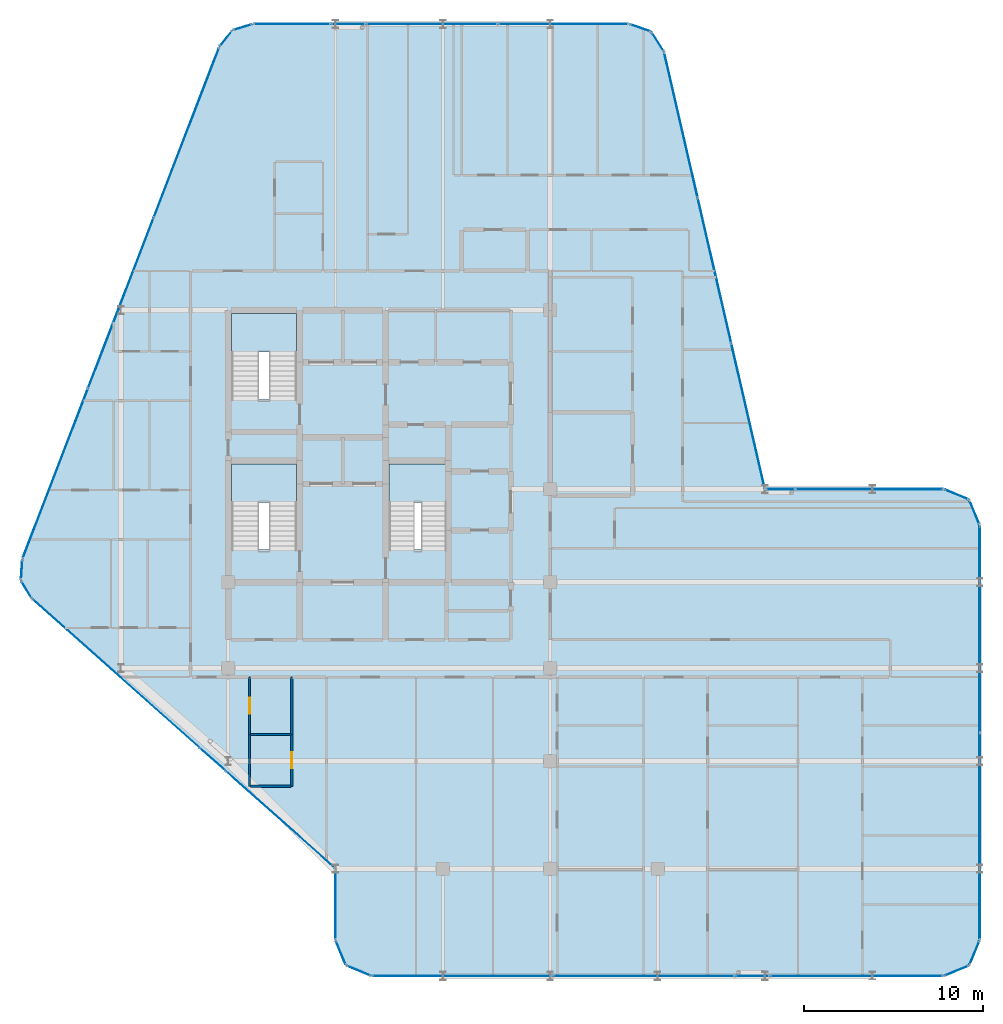
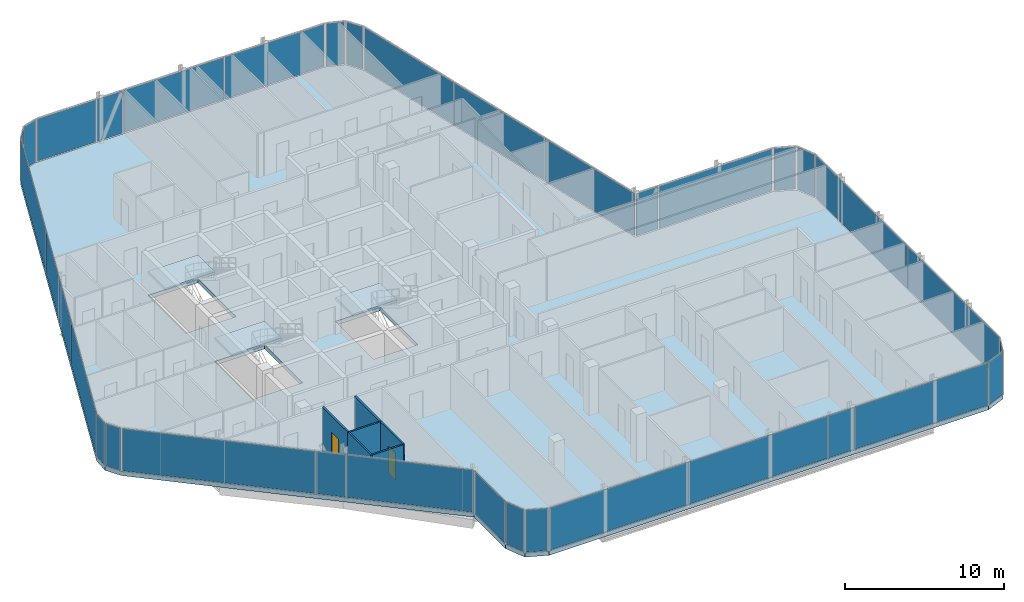
# One storey, part 22 of 29: 34 plates, 6 walls, 4 slabs, 2 doors, 2 openings, 30 elements without a shape of their own.
"""IFC4 building model written with IfcOpenShell, lengths in metres."""

from ifc_helpers import new_model, si_unit, direction, frame, frame_2d, origin, origin_2d, place, context, subcontext, project, spatial, polyline, rectangle, outline, extrude, material, layer, layer_set, type_object, element, fill, aggregate, save


model = new_model("IFC4")

# Units and contexts
model_context = context("Model", 3, precision=1e-05, world=origin(), true_north=direction((0.0, 1.0)))
body_context = subcontext(model_context, "Body", "Model", "MODEL_VIEW")
ifc_project = project(units=[si_unit("LENGTHUNIT", "METRE"), si_unit("AREAUNIT", "SQUARE_METRE"), si_unit("VOLUMEUNIT", "CUBIC_METRE"), si_unit("PLANEANGLEUNIT", "RADIAN"), si_unit("MASSUNIT", "GRAM", prefix="KILO")], contexts=[model_context])

# Site, building, storey
site_placement = place(None, origin())
site = spatial("IfcSite", under=ifc_project, at=site_placement, CompositionType="ELEMENT")
building_placement = place(site_placement, origin())
building = spatial("IfcBuilding", under=site, at=building_placement, Name="Keshet Zoharim Tower", CompositionType="ELEMENT")
storey_placement = place(building_placement, frame((0.0, 0.0, 230.199951171875)))
storey = spatial("IfcBuildingStorey", under=building, at=storey_placement, Name="L57", CompositionType="ELEMENT", Elevation=230.199951171875)

# Curtain wall, plate
ifc_material_1 = material(Name="Aluminium 6063-T6", Category="aluminium")
ifc_layer_1 = layer(ifc_material_1, 0.139892578125)
ifc_layer_set_1 = layer_set([ifc_layer_1], Name="Aluminium 6063-T6")
curtain_wall_type = type_object("IfcCurtainWallType", Name="CW-SYS-05", PredefinedType="NOTDEFINED", material=ifc_layer_set_1)
curtain_wall_1_placement = place(storey_placement, origin())
curtain_wall_1 = element("IfcCurtainWall", 1, at=curtain_wall_1_placement, inside=storey, type_object=curtain_wall_type, Name="L57 Unitised Curtain Wall 01", PredefinedType="NOTDEFINED")
ifc_material_2 = material(Name="Insulated Low-E Clear Glass", Category="glass")
ifc_layer_2 = layer(ifc_material_2, 0.031982421875)
ifc_layer_set_2 = layer_set([ifc_layer_2], Name="Insulated Low-E Clear Glass")
plate_type_1 = type_object("IfcPlateType", Name="CWP-02", PredefinedType="CURTAIN_PANEL", material=ifc_layer_set_2)
plate_1_placement = place(storey_placement, frame((55.70703125, 27.60693359375, 0.070068359375), z_axis=(0.0, 0.0, 1.0), x_axis=(0.92380975372, -0.382851849847, 0.0)))
plate_1 = element("IfcPlate", 2, at=plate_1_placement, type_object=plate_type_1, Name="CW-05 panel 1.1", PredefinedType="CURTAIN_PANEL", context=body_context, shape_type="SweptSolid", body=[
    extrude(rectangle(XDim=1.390625, YDim=0.031982421875, at=origin_2d()), origin(), (0.0, 0.0, 1.0), 3.25),
])
aggregate(curtain_wall_1, [plate_1])

curtain_wall_2_placement = place(storey_placement, origin())
curtain_wall_2 = element("IfcCurtainWall", 3, at=curtain_wall_2_placement, inside=storey, type_object=curtain_wall_type, Name="L57 Unitised Curtain Wall 02", PredefinedType="NOTDEFINED")
plate_2_placement = place(storey_placement, frame((56.70703125, 26.60693359375, 0.070068359375), z_axis=(0.0, 0.0, 1.0), x_axis=(0.382851849847, -0.92380975372, 0.0)))
plate_2 = element("IfcPlate", 4, at=plate_2_placement, type_object=plate_type_1, Name="CW-05 panel 1.1", PredefinedType="CURTAIN_PANEL", context=body_context, shape_type="SweptSolid", body=[
    extrude(rectangle(XDim=1.390625, YDim=0.031982421875, at=origin_2d()), origin(), (0.0, 0.0, 1.0), 3.25),
])
aggregate(curtain_wall_2, [plate_2])

# Curtain wall, plates
curtain_wall_3_placement = place(storey_placement, origin())
curtain_wall_3 = element("IfcCurtainWall", 5, at=curtain_wall_3_placement, inside=storey, type_object=curtain_wall_type, Name="L57 Unitised Curtain Wall 03", PredefinedType="NOTDEFINED")
plate_3_placement = place(storey_placement, frame((57.0, 20.08251953125, 0.070068359375), z_axis=(0.0, 0.0, 1.0), x_axis=(0.0, -1.0, 0.0)))
plate_3 = element("IfcPlate", 6, at=plate_3_placement, type_object=plate_type_1, Name="CW-05 panel 1.1", PredefinedType="CURTAIN_PANEL", context=body_context, shape_type="SweptSolid", body=[
    extrude(rectangle(XDim=11.4951171875, YDim=0.031982421875, at=origin_2d()), origin(), (0.0, 0.0, 1.0), 3.25),
])
plate_4_placement = place(storey_placement, frame((57.0, 8.517578125, 0.070068359375), z_axis=(0.0, 0.0, 1.0), x_axis=(0.0, -1.0, 0.0)))
plate_4 = element("IfcPlate", 7, at=plate_4_placement, type_object=plate_type_1, Name="CW-05 panel 2.1", PredefinedType="CURTAIN_PANEL", context=body_context, shape_type="SweptSolid", body=[
    extrude(rectangle(XDim=11.4951171875, YDim=0.031982421875, at=origin_2d()), origin(), (0.0, 0.0, 1.0), 3.25),
])
aggregate(curtain_wall_3, [plate_3, plate_4])

# Curtain wall, plate
curtain_wall_4_placement = place(storey_placement, origin())
curtain_wall_4 = element("IfcCurtainWall", 8, at=curtain_wall_4_placement, inside=storey, type_object=curtain_wall_type, Name="L57 Unitised Curtain Wall 04", PredefinedType="NOTDEFINED")
plate_5_placement = place(storey_placement, frame((56.70703125, 1.992919921875, 0.070068359375), z_axis=(0.0, 0.0, 1.0), x_axis=(-0.382851849847, -0.92380975372, 0.0)))
plate_5 = element("IfcPlate", 9, at=plate_5_placement, type_object=plate_type_1, Name="CW-05 panel 1.1", PredefinedType="CURTAIN_PANEL", context=body_context, shape_type="SweptSolid", body=[
    extrude(rectangle(XDim=1.390625, YDim=0.031982421875, at=origin_2d()), origin(), (0.0, 0.0, 1.0), 3.25),
])
aggregate(curtain_wall_4, [plate_5])

curtain_wall_5_placement = place(storey_placement, origin())
curtain_wall_5 = element("IfcCurtainWall", 10, at=curtain_wall_5_placement, inside=storey, type_object=curtain_wall_type, Name="L57 Unitised Curtain Wall 05", PredefinedType="NOTDEFINED")
plate_6_placement = place(storey_placement, frame((55.70703125, 0.992919921875, 0.070068359375), z_axis=(0.0, 0.0, 1.0), x_axis=(-0.92380975372, -0.382851849847, 0.0)))
plate_6 = element("IfcPlate", 11, at=plate_6_placement, type_object=plate_type_1, Name="CW-05 panel 1.1", PredefinedType="CURTAIN_PANEL", context=body_context, shape_type="SweptSolid", body=[
    extrude(rectangle(XDim=1.390625, YDim=0.031982421875, at=origin_2d()), origin(), (0.0, 0.0, 1.0), 3.25),
])
aggregate(curtain_wall_5, [plate_6])

curtain_wall_6_placement = place(storey_placement, origin())
curtain_wall_6 = element("IfcCurtainWall", 12, at=curtain_wall_6_placement, inside=storey, type_object=curtain_wall_type, Name="L57 Unitised Curtain Wall 06", PredefinedType="NOTDEFINED")
plate_7_placement = place(storey_placement, frame((50.1123046875, 0.699951171875, 0.070068359375), z_axis=(0.0, 0.0, 1.0), x_axis=(-1.0, 0.0, 0.0)))
plate_7 = element("IfcPlate", 13, at=plate_7_placement, type_object=plate_type_1, Name="CW-05 panel 1.1", PredefinedType="CURTAIN_PANEL", context=body_context, shape_type="SweptSolid", body=[
    extrude(rectangle(XDim=9.63525390625, YDim=0.031982421875, at=origin_2d()), origin(), (0.0, 0.0, 1.0), 3.25),
])
aggregate(curtain_wall_6, [plate_7])

# Curtain wall, plates
curtain_wall_7_placement = place(storey_placement, origin())
curtain_wall_7 = element("IfcCurtainWall", 14, at=curtain_wall_7_placement, inside=storey, type_object=curtain_wall_type, Name="L57 Unitised Curtain Wall 06 Part 3", PredefinedType="NOTDEFINED")
plate_8_placement = place(storey_placement, frame((38.223876953125, 0.699951171875, 0.070068359375), z_axis=(0.0, 0.0, 1.0), x_axis=(-1.0, 0.0, 0.0)))
plate_8 = element("IfcPlate", 15, at=plate_8_placement, type_object=plate_type_1, Name="CW-05 panel 1.1", PredefinedType="CURTAIN_PANEL", context=body_context, shape_type="SweptSolid", body=[
    extrude(rectangle(XDim=10.1025390625, YDim=0.031982421875, at=origin_2d()), origin(), (0.0, 0.0, 1.0), 3.25),
])
plate_9_placement = place(storey_placement, frame((28.086181640625, 0.699951171875, 0.070068359375), z_axis=(0.0, 0.0, 1.0), x_axis=(-1.0, 0.0, 0.0)))
plate_9 = element("IfcPlate", 16, at=plate_9_placement, type_object=plate_type_1, Name="CW-05 panel 2.1", PredefinedType="CURTAIN_PANEL", context=body_context, shape_type="SweptSolid", body=[
    extrude(rectangle(XDim=10.03271484375, YDim=0.031982421875, at=origin_2d()), origin(), (0.0, 0.0, 1.0), 3.25),
])
aggregate(curtain_wall_7, [plate_8, plate_9])

# Curtain wall, plate
curtain_wall_8_placement = place(storey_placement, origin())
curtain_wall_8 = element("IfcCurtainWall", 17, at=curtain_wall_8_placement, inside=storey, type_object=curtain_wall_type, Name="L57 Unitised Curtain Wall 07", PredefinedType="NOTDEFINED")
plate_10_placement = place(storey_placement, frame((22.29296875, 0.992919921875, 0.070068359375), z_axis=(0.0, 0.0, 1.0), x_axis=(-0.92380975372, 0.382851849847, 0.0)))
plate_10 = element("IfcPlate", 18, at=plate_10_placement, type_object=plate_type_1, Name="CW-05 panel 1.1", PredefinedType="CURTAIN_PANEL", context=body_context, shape_type="SweptSolid", body=[
    extrude(rectangle(XDim=1.390625, YDim=0.031982421875, at=origin_2d()), origin(), (0.0, 0.0, 1.0), 3.25),
])
aggregate(curtain_wall_8, [plate_10])

curtain_wall_9_placement = place(storey_placement, origin())
curtain_wall_9 = element("IfcCurtainWall", 19, at=curtain_wall_9_placement, inside=storey, type_object=curtain_wall_type, Name="L57 Unitised Curtain Wall 08", PredefinedType="NOTDEFINED")
plate_11_placement = place(storey_placement, frame((21.29296875, 1.992919921875, 0.070068359375), z_axis=(0.0, 0.0, 1.0), x_axis=(-0.382851849847, 0.92380975372, 0.0)))
plate_11 = element("IfcPlate", 20, at=plate_11_placement, type_object=plate_type_1, Name="CW-05 panel 1.1", PredefinedType="CURTAIN_PANEL", context=body_context, shape_type="SweptSolid", body=[
    extrude(rectangle(XDim=1.390625, YDim=0.031982421875, at=origin_2d()), origin(), (0.0, 0.0, 1.0), 3.25),
])
aggregate(curtain_wall_9, [plate_11])

curtain_wall_10_placement = place(storey_placement, origin())
curtain_wall_10 = element("IfcCurtainWall", 21, at=curtain_wall_10_placement, inside=storey, type_object=curtain_wall_type, Name="L57 Unitised Curtain Wall 09", PredefinedType="NOTDEFINED")
plate_12_placement = place(storey_placement, frame((21.0, 4.699951171875, 0.070068359375), z_axis=(0.0, 0.0, 1.0), x_axis=(0.0, 1.0, 0.0)))
plate_12 = element("IfcPlate", 22, at=plate_12_placement, type_object=plate_type_1, Name="CW-05 panel 1.1", PredefinedType="CURTAIN_PANEL", context=body_context, shape_type="SweptSolid", body=[
    extrude(rectangle(XDim=3.860107421875, YDim=0.031982421875, at=origin_2d()), origin(), (0.0, 0.0, 1.0), 3.25),
])
aggregate(curtain_wall_10, [plate_12])

curtain_wall_11_placement = place(storey_placement, origin())
curtain_wall_11 = element("IfcCurtainWall", 23, at=curtain_wall_11_placement, inside=storey, type_object=curtain_wall_type, Name="L57 Unitised Curtain Wall 10", PredefinedType="NOTDEFINED")
plate_13_placement = place(storey_placement, frame((17.91845703125, 9.439208984375, 0.070068359375), z_axis=(0.0, 0.0, 1.0), x_axis=(-0.747409987764, 0.664363086114, 0.0)))
plate_13 = element("IfcPlate", 24, at=plate_13_placement, type_object=plate_type_1, Name="CW-05 panel 1.1", PredefinedType="CURTAIN_PANEL", context=body_context, shape_type="SweptSolid", body=[
    extrude(rectangle(XDim=8.10595703125, YDim=0.031982421875, at=origin_2d()), origin(), (0.0, 0.0, 1.0), 3.25),
])
aggregate(curtain_wall_11, [plate_13])

curtain_wall_12_placement = place(storey_placement, origin())
curtain_wall_12 = element("IfcCurtainWall", 25, at=curtain_wall_12_placement, inside=storey, type_object=curtain_wall_type, Name="L57 Unitised Curtain Wall 10 Part 3", PredefinedType="NOTDEFINED")
plate_14_placement = place(storey_placement, frame((8.7333984375, 17.603515625, 0.070068359375), z_axis=(0.0, 0.0, 1.0), x_axis=(-0.747409318679, 0.664363838836, 0.0)))
plate_14 = element("IfcPlate", 26, at=plate_14_placement, type_object=plate_type_1, Name="CW-05 panel 1.1", PredefinedType="CURTAIN_PANEL", context=body_context, shape_type="SweptSolid", body=[
    extrude(rectangle(XDim=12.432861328125, YDim=0.031982421875, at=origin_2d()), origin(), (0.0, 0.0, 1.0), 3.25),
])
aggregate(curtain_wall_12, [plate_14])

curtain_wall_13_placement = place(storey_placement, origin())
curtain_wall_13 = element("IfcCurtainWall", 27, at=curtain_wall_13_placement, inside=storey, type_object=curtain_wall_type, Name="L57 Unitised Curtain Wall 11", PredefinedType="NOTDEFINED")
plate_15_placement = place(storey_placement, frame((3.7275390625, 22.291015625, 0.070068359375), z_axis=(0.0, 0.0, 1.0), x_axis=(-0.515604947933, 0.856826433805, 0.0)))
plate_15 = element("IfcPlate", 28, at=plate_15_placement, type_object=plate_type_1, Name="CW-05 panel 1.1", PredefinedType="CURTAIN_PANEL", context=body_context, shape_type="SweptSolid", body=[
    extrude(rectangle(XDim=1.052734375, YDim=0.031982421875, at=origin_2d()), origin(), (0.0, 0.0, 1.0), 3.25),
])
aggregate(curtain_wall_13, [plate_15])

curtain_wall_14_placement = place(storey_placement, origin())
curtain_wall_14 = element("IfcCurtainWall", 29, at=curtain_wall_14_placement, inside=storey, type_object=curtain_wall_type, Name="L57 Unitised Curtain Wall 12", PredefinedType="NOTDEFINED")
plate_16_placement = place(storey_placement, frame((3.45849609375, 23.3974609375, 0.070068359375), z_axis=(0.0, 0.0, 1.0), x_axis=(0.064516859374, 0.997916617186, 0.0)))
plate_16 = element("IfcPlate", 30, at=plate_16_placement, type_object=plate_type_1, Name="CW-05 panel 1.1", PredefinedType="CURTAIN_PANEL", context=body_context, shape_type="SweptSolid", body=[
    extrude(rectangle(XDim=1.053466796875, YDim=0.031982421875, at=origin_2d()), origin(), (0.0, 0.0, 1.0), 3.25),
])
aggregate(curtain_wall_14, [plate_16])

# Curtain wall, plates
curtain_wall_15_placement = place(storey_placement, origin())
curtain_wall_15 = element("IfcCurtainWall", 31, at=curtain_wall_15_placement, inside=storey, type_object=curtain_wall_type, Name="L57 Unitised Curtain Wall 13", PredefinedType="NOTDEFINED")
plate_17_placement = place(storey_placement, frame((5.33837890625, 28.7802734375, 0.070068359375), z_axis=(0.0, 0.0, 1.0), x_axis=(0.358990003907, 0.933341404361, 0.0)))
plate_17 = element("IfcPlate", 32, at=plate_17_placement, type_object=plate_type_1, Name="CW-05 panel 1.1", PredefinedType="CURTAIN_PANEL", context=body_context, shape_type="SweptSolid", body=[
    extrude(rectangle(XDim=10.1181640625, YDim=0.031982421875, at=origin_2d()), origin(), (0.0, 0.0, 1.0), 3.25),
])
plate_18_placement = place(storey_placement, frame((9.001953125, 38.305419921875, 0.070068359375), z_axis=(0.0, 0.0, 1.0), x_axis=(0.358990003907, 0.933341404361, 0.0)))
plate_18 = element("IfcPlate", 33, at=plate_18_placement, type_object=plate_type_1, Name="CW-05 panel 2.1", PredefinedType="CURTAIN_PANEL", context=body_context, shape_type="SweptSolid", body=[
    extrude(rectangle(XDim=10.153076171875, YDim=0.031982421875, at=origin_2d()), origin(), (0.0, 0.0, 1.0), 3.25),
])
plate_19_placement = place(storey_placement, frame((12.665771484375, 47.830810546875, 0.070068359375), z_axis=(0.0, 0.0, 1.0), x_axis=(0.358990003907, 0.933341404361, 0.0)))
plate_19 = element("IfcPlate", 34, at=plate_19_placement, type_object=plate_type_1, Name="CW-05 panel 3.1", PredefinedType="CURTAIN_PANEL", context=body_context, shape_type="SweptSolid", body=[
    extrude(rectangle(XDim=10.1181640625, YDim=0.031982421875, at=origin_2d()), origin(), (0.0, 0.0, 1.0), 3.25),
])
aggregate(curtain_wall_15, [plate_17, plate_18, plate_19])

# Curtain wall, plate
curtain_wall_16_placement = place(storey_placement, origin())
curtain_wall_16 = element("IfcCurtainWall", 35, at=curtain_wall_16_placement, inside=storey, type_object=curtain_wall_type, Name="L57 Unitised Curtain Wall 14", PredefinedType="NOTDEFINED")
plate_20_placement = place(storey_placement, frame((14.8740234375, 53.08349609375, 0.070068359375), z_axis=(0.0, 0.0, 1.0), x_axis=(0.619124525989, 0.785292825205, 0.0)))
plate_20 = element("IfcPlate", 36, at=plate_20_placement, type_object=plate_type_1, Name="CW-05 panel 1.1", PredefinedType="CURTAIN_PANEL", context=body_context, shape_type="SweptSolid", body=[
    extrude(rectangle(XDim=1.045654296875, YDim=0.031982421875, at=origin_2d()), origin(), (0.0, 0.0, 1.0), 3.25),
])
aggregate(curtain_wall_16, [plate_20])

curtain_wall_17_placement = place(storey_placement, origin())
curtain_wall_17 = element("IfcCurtainWall", 37, at=curtain_wall_17_placement, inside=storey, type_object=curtain_wall_type, Name="L57 Unitised Curtain Wall 15", PredefinedType="NOTDEFINED")
plate_21_placement = place(storey_placement, frame((15.8076171875, 53.724609375, 0.070068359375), z_axis=(0.0, 0.0, 1.0), x_axis=(0.955212151288, 0.295921857984, 0.0)))
plate_21 = element("IfcPlate", 38, at=plate_21_placement, type_object=plate_type_1, Name="CW-05 panel 1.1", PredefinedType="CURTAIN_PANEL", context=body_context, shape_type="SweptSolid", body=[
    extrude(rectangle(XDim=1.046142578125, YDim=0.031982421875, at=origin_2d()), origin(), (0.0, 0.0, 1.0), 3.25),
])
aggregate(curtain_wall_17, [plate_21])

curtain_wall_18_placement = place(storey_placement, origin())
curtain_wall_18 = element("IfcCurtainWall", 39, at=curtain_wall_18_placement, inside=storey, type_object=curtain_wall_type, Name="L57 Unitised Curtain Wall 16", PredefinedType="NOTDEFINED")
plate_22_placement = place(storey_placement, frame((18.57470703125, 53.89990234375, 0.070068359375), z_axis=(0.0, 0.0, 1.0), x_axis=(1.0, 0.0, 0.0)))
plate_22 = element("IfcPlate", 40, at=plate_22_placement, type_object=plate_type_1, Name="CW-05 panel 1.1", PredefinedType="CURTAIN_PANEL", context=body_context, shape_type="SweptSolid", body=[
    extrude(rectangle(XDim=4.26123046875, YDim=0.031982421875, at=origin_2d()), origin(), (0.0, 0.0, 1.0), 3.25),
])
aggregate(curtain_wall_18, [plate_22])

# Curtain wall, plates
curtain_wall_19_placement = place(storey_placement, origin())
curtain_wall_19 = element("IfcCurtainWall", 41, at=curtain_wall_19_placement, inside=storey, type_object=curtain_wall_type, Name="L57 Unitised Curtain Wall 16 Part 3", PredefinedType="NOTDEFINED")
plate_23_placement = place(storey_placement, frame((26.37841796875, 53.89990234375, 0.070068359375), z_axis=(0.0, 0.0, 1.0), x_axis=(1.0, 0.0, 0.0)))
plate_23 = element("IfcPlate", 42, at=plate_23_placement, type_object=plate_type_1, Name="CW-05 panel 1.1", PredefinedType="CURTAIN_PANEL", context=body_context, shape_type="SweptSolid", body=[
    extrude(rectangle(XDim=7.30712890625, YDim=0.031982421875, at=origin_2d()), origin(), (0.0, 0.0, 1.0), 3.25),
])
plate_24_placement = place(storey_placement, frame((33.720458984375, 53.89990234375, 0.070068359375), z_axis=(0.0, 0.0, 1.0), x_axis=(1.0, 0.0, 0.0)))
plate_24 = element("IfcPlate", 43, at=plate_24_placement, type_object=plate_type_1, Name="CW-05 panel 2.1", PredefinedType="CURTAIN_PANEL", context=body_context, shape_type="SweptSolid", body=[
    extrude(rectangle(XDim=7.237060546875, YDim=0.031982421875, at=origin_2d()), origin(), (0.0, 0.0, 1.0), 3.25),
])
aggregate(curtain_wall_19, [plate_23, plate_24])

# Curtain wall, plate
curtain_wall_20_placement = place(storey_placement, origin())
curtain_wall_20 = element("IfcCurtainWall", 44, at=curtain_wall_20_placement, inside=storey, type_object=curtain_wall_type, Name="L57 Unitised Curtain Wall 17", PredefinedType="NOTDEFINED")
plate_25_placement = place(storey_placement, frame((38.031494140625, 53.6826171875, 0.070068359375), z_axis=(0.0, 0.0, 1.0), x_axis=(0.944035542119, -0.329843743636, 0.0)))
plate_25 = element("IfcPlate", 45, at=plate_25_placement, type_object=plate_type_1, Name="CW-05 panel 1.1", PredefinedType="CURTAIN_PANEL", context=body_context, shape_type="SweptSolid", body=[
    extrude(rectangle(XDim=1.1787109375, YDim=0.031982421875, at=origin_2d()), origin(), (0.0, 0.0, 1.0), 3.25),
])
aggregate(curtain_wall_20, [plate_25])

curtain_wall_21_placement = place(storey_placement, origin())
curtain_wall_21 = element("IfcCurtainWall", 46, at=curtain_wall_21_placement, inside=storey, type_object=curtain_wall_type, Name="L57 Unitised Curtain Wall 18", PredefinedType="NOTDEFINED")
plate_26_placement = place(storey_placement, frame((39.006103515625, 52.907470703125, 0.070068359375), z_axis=(0.0, 0.0, 1.0), x_axis=(0.533878858502, -0.845560976183, 0.0)))
plate_26 = element("IfcPlate", 47, at=plate_26_placement, type_object=plate_type_1, Name="CW-05 panel 1.1", PredefinedType="CURTAIN_PANEL", context=body_context, shape_type="SweptSolid", body=[
    extrude(rectangle(XDim=1.1787109375, YDim=0.031982421875, at=origin_2d()), origin(), (0.0, 0.0, 1.0), 3.25),
])
aggregate(curtain_wall_21, [plate_26])

# Curtain wall, plates
curtain_wall_22_placement = place(storey_placement, origin())
curtain_wall_22 = element("IfcCurtainWall", 48, at=curtain_wall_22_placement, inside=storey, type_object=curtain_wall_type, Name="L57 Unitised Curtain Wall 19", PredefinedType="NOTDEFINED")
plate_27_placement = place(storey_placement, frame((40.30224609375, 48.258056640625, 0.070068359375), z_axis=(0.0, 0.0, 1.0), x_axis=(0.224847864369, -0.974393882313, 0.0)))
plate_27 = element("IfcPlate", 49, at=plate_27_placement, type_object=plate_type_1, Name="CW-05 panel 1.1", PredefinedType="CURTAIN_PANEL", context=body_context, shape_type="SweptSolid", body=[
    extrude(rectangle(XDim=8.25927734375, YDim=0.031982421875, at=origin_2d()), origin(), (0.0, 0.0, 1.0), 3.25),
])
plate_28_placement = place(storey_placement, frame((42.178955078125, 40.125, 0.070068359375), z_axis=(0.0, 0.0, 1.0), x_axis=(0.224847864369, -0.974393882313, 0.0)))
plate_28 = element("IfcPlate", 50, at=plate_28_placement, type_object=plate_type_1, Name="CW-05 panel 2.1", PredefinedType="CURTAIN_PANEL", context=body_context, shape_type="SweptSolid", body=[
    extrude(rectangle(XDim=8.294189453125, YDim=0.031982421875, at=origin_2d()), origin(), (0.0, 0.0, 1.0), 3.25),
])
plate_29_placement = place(storey_placement, frame((44.0556640625, 31.991943359375, 0.070068359375), z_axis=(0.0, 0.0, 1.0), x_axis=(0.224847864369, -0.974393882313, 0.0)))
plate_29 = element("IfcPlate", 51, at=plate_29_placement, type_object=plate_type_1, Name="CW-05 panel 3.1", PredefinedType="CURTAIN_PANEL", context=body_context, shape_type="SweptSolid", body=[
    extrude(rectangle(XDim=8.25927734375, YDim=0.031982421875, at=origin_2d()), origin(), (0.0, 0.0, 1.0), 3.25),
])
aggregate(curtain_wall_22, [plate_27, plate_28, plate_29])

# Curtain wall, plate
curtain_wall_23_placement = place(storey_placement, origin())
curtain_wall_23 = element("IfcCurtainWall", 52, at=curtain_wall_23_placement, inside=storey, type_object=curtain_wall_type, Name="L57 Unitised Curtain Wall 20 Part 2", PredefinedType="NOTDEFINED")
plate_30_placement = place(storey_placement, frame((50.827392578125, 27.89990234375, 0.070068359375), z_axis=(0.0, 0.0, 1.0), x_axis=(1.0, 0.0, 0.0)))
plate_30 = element("IfcPlate", 53, at=plate_30_placement, type_object=plate_type_1, Name="CW-05 panel 1.1", PredefinedType="CURTAIN_PANEL", context=body_context, shape_type="SweptSolid", body=[
    extrude(rectangle(XDim=8.205078125, YDim=0.031982421875, at=origin_2d()), origin(), (0.0, 0.0, 1.0), 3.25),
])
aggregate(curtain_wall_23, [plate_30])

curtain_wall_24_placement = place(storey_placement, origin())
curtain_wall_24 = element("IfcCurtainWall", 54, at=curtain_wall_24_placement, inside=storey, type_object=curtain_wall_type, Name="L57 Unitised Curtain Wall 06 Part 2", PredefinedType="NOTDEFINED")
ifc_material_3 = material(Name="Insulated Aluminium Spandrel Panel", Category="aluminium")
ifc_layer_3 = layer(ifc_material_3, 0.031982421875)
ifc_layer_set_3 = layer_set([ifc_layer_3], Name="Insulated Aluminium Spandrel Panel")
plate_type_2 = type_object("IfcPlateType", Name="CWP-05", PredefinedType="CURTAIN_PANEL", material=ifc_layer_set_3)
plate_31_placement = place(storey_placement, frame((44.284912109375, 0.699951171875, 0.070068359375), z_axis=(0.0, 0.0, 1.0), x_axis=(-1.0, 0.0, 0.0)))
plate_31 = element("IfcPlate", 55, at=plate_31_placement, type_object=plate_type_2, Name="CW-05 spandrel panel 1.1", PredefinedType="CURTAIN_PANEL", context=body_context, shape_type="SweptSolid", body=[
    extrude(rectangle(XDim=1.879638671875, YDim=0.031982421875, at=origin_2d()), origin(), (0.0, 0.0, 1.0), 3.25),
])
aggregate(curtain_wall_24, [plate_31])

curtain_wall_25_placement = place(storey_placement, origin())
curtain_wall_25 = element("IfcCurtainWall", 56, at=curtain_wall_25_placement, inside=storey, type_object=curtain_wall_type, Name="L57 Unitised Curtain Wall 10 Part 2", PredefinedType="NOTDEFINED")
plate_32_placement = place(storey_placement, frame((14.134521484375, 12.802734375, 0.070068359375), z_axis=(0.0, 0.0, 1.0), x_axis=(-0.747406488853, 0.664367022375, 0.0)))
plate_32 = element("IfcPlate", 57, at=plate_32_placement, type_object=plate_type_2, Name="CW-05 spandrel panel 1.1", PredefinedType="CURTAIN_PANEL", context=body_context, shape_type="SweptSolid", body=[
    extrude(rectangle(XDim=1.879638671875, YDim=0.031982421875, at=origin_2d()), origin(), (0.0, 0.0, 1.0), 3.25),
])
aggregate(curtain_wall_25, [plate_32])

curtain_wall_26_placement = place(storey_placement, origin())
curtain_wall_26 = element("IfcCurtainWall", 58, at=curtain_wall_26_placement, inside=storey, type_object=curtain_wall_type, Name="L57 Unitised Curtain Wall 16 Part 2", PredefinedType="NOTDEFINED")
plate_33_placement = place(storey_placement, frame((21.715087890625, 53.89990234375, 0.070068359375), z_axis=(0.0, 0.0, 1.0), x_axis=(1.0, 0.0, 0.0)))
plate_33 = element("IfcPlate", 59, at=plate_33_placement, type_object=plate_type_2, Name="CW-05 spandrel panel 1.1", PredefinedType="CURTAIN_PANEL", context=body_context, shape_type="SweptSolid", body=[
    extrude(rectangle(XDim=1.879638671875, YDim=0.031982421875, at=origin_2d()), origin(), (0.0, 0.0, 1.0), 3.25),
])
aggregate(curtain_wall_26, [plate_33])

curtain_wall_27_placement = place(storey_placement, origin())
curtain_wall_27 = element("IfcCurtainWall", 60, at=curtain_wall_27_placement, inside=storey, type_object=curtain_wall_type, Name="L57 Unitised Curtain Wall 20", PredefinedType="NOTDEFINED")
plate_34_placement = place(storey_placement, frame((45.8623046875, 27.89990234375, 0.070068359375), z_axis=(0.0, 0.0, 1.0), x_axis=(1.0, 0.0, 0.0)))
plate_34 = element("IfcPlate", 61, at=plate_34_placement, type_object=plate_type_2, Name="CW-05 spandrel panel 1.1", PredefinedType="CURTAIN_PANEL", context=body_context, shape_type="SweptSolid", body=[
    extrude(rectangle(XDim=1.584716796875, YDim=0.031982421875, at=origin_2d()), origin(), (0.0, 0.0, 1.0), 3.25),
])
aggregate(curtain_wall_27, [plate_34])

# Stair, slab
ifc_material_4 = material(Name="Concrete C50/60", Category="concrete")
stair_type = type_object("IfcStairType", Name="STR-EXIT-135", PredefinedType="HALF_TURN_STAIR", material=ifc_material_4)
stair_1_placement = place(storey_placement, origin())
stair_1 = element("IfcStair", 62, at=stair_1_placement, inside=storey, type_object=stair_type, Name="L57 Enclosed Exit Stair ST-01", PredefinedType="HALF_TURN_STAIR")
ifc_layer_4 = layer(ifc_material_4, 0.199951171875)
ifc_layer_set_4 = layer_set([ifc_layer_4], Name="Concrete C50/60")
slab_type_1 = type_object("IfcSlabType", Name="SLB-LND-200", PredefinedType="LANDING", material=ifc_layer_set_4)
slab_1_placement = place(storey_placement, frame((0.0, 0.0, 1.650146484375)))
slab_1 = element("IfcSlab", 63, at=slab_1_placement, type_object=slab_type_1, Name="ST-01 landing 1", PredefinedType="LANDING", context=body_context, shape_type="SweptSolid", body=[
    extrude(outline(polyline([(15.179931640625, 27.159912109375), (18.820068359375, 27.159912109375), (18.820068359375, 29.320068359375), (15.179931640625, 29.320068359375), (15.179931640625, 27.159912109375)])), origin(), (0.0, 0.0, 1.0), 0.199951171875),
])
aggregate(stair_1, [slab_1])

stair_2_placement = place(storey_placement, origin())
stair_2 = element("IfcStair", 64, at=stair_2_placement, inside=storey, type_object=stair_type, Name="L57 Enclosed Exit Stair ST-02", PredefinedType="HALF_TURN_STAIR")
slab_2_placement = place(storey_placement, frame((0.0, 0.0, 1.650146484375)))
slab_2 = element("IfcSlab", 65, at=slab_2_placement, type_object=slab_type_1, Name="ST-02 landing 1", PredefinedType="LANDING", context=body_context, shape_type="SweptSolid", body=[
    extrude(outline(polyline([(15.179931640625, 35.56005859375), (18.820068359375, 35.56005859375), (18.820068359375, 37.719970703125), (15.179931640625, 37.719970703125), (15.179931640625, 35.56005859375)])), origin(), (0.0, 0.0, 1.0), 0.199951171875),
])
aggregate(stair_2, [slab_2])

stair_3_placement = place(storey_placement, origin())
stair_3 = element("IfcStair", 66, at=stair_3_placement, inside=storey, type_object=stair_type, Name="L57 Enclosed Exit Stair ST-03", PredefinedType="HALF_TURN_STAIR")
slab_3_placement = place(storey_placement, frame((0.0, 0.0, 1.650146484375)))
slab_3 = element("IfcSlab", 67, at=slab_3_placement, type_object=slab_type_1, Name="ST-03 landing 1", PredefinedType="LANDING", context=body_context, shape_type="SweptSolid", body=[
    extrude(outline(polyline([(23.97998046875, 27.159912109375), (27.219970703125, 27.159912109375), (27.219970703125, 29.320068359375), (23.97998046875, 29.320068359375), (23.97998046875, 27.159912109375)])), origin(), (0.0, 0.0, 1.0), 0.199951171875),
])
aggregate(stair_3, [slab_3])

# Slab
ifc_layer_5 = layer(ifc_material_4, 0.31005859375)
ifc_layer_set_5 = layer_set([ifc_layer_5], Name="Concrete C50/60")
slab_type_2 = type_object("IfcSlabType", Name="SLB-UPP-240", PredefinedType="FLOOR", material=ifc_layer_set_5)
slab_4_placement = place(storey_placement, frame((0.0, 0.0, -0.31005859375)))
element("IfcSlab", 68, at=slab_4_placement, inside=storey, type_object=slab_type_2, Name="L57 Structural Floor Slab 1", PredefinedType="FLOOR", context=body_context, shape_type="SweptSolid", body=[
    extrude(outline(polyline([(55.0, 27.89990234375), (56.4140625, 27.31396484375), (57.0, 25.89990234375), (57.0, 2.699951171875), (56.4140625, 1.285888671875), (55.0, 0.699951171875), (23.0, 0.699951171875), (21.5859375, 1.285888671875), (21.0, 2.699951171875), (21.0, 6.699951171875), (4.034912109375, 21.780029296875), (3.419921875, 22.802001953125), (3.4970703125, 23.992919921875), (14.507080078125, 52.617919921875), (15.240966796875, 53.549072265625), (16.3740234375, 53.89990234375), (37.408935546875, 53.89990234375), (38.654052734375, 53.465087890625), (39.35791015625, 52.35009765625), (45.0, 27.89990234375), (55.0, 27.89990234375)]), holes=[polyline([(15.179931640625, 24.52001953125), (18.820068359375, 24.52001953125), (18.820068359375, 29.320068359375), (15.179931640625, 29.320068359375), (15.179931640625, 24.52001953125)]), polyline([(15.179931640625, 32.919921875), (18.820068359375, 32.919921875), (18.820068359375, 37.719970703125), (15.179931640625, 37.719970703125), (15.179931640625, 32.919921875)]), polyline([(23.97998046875, 24.52001953125), (27.219970703125, 24.52001953125), (27.219970703125, 29.320068359375), (23.97998046875, 29.320068359375), (23.97998046875, 24.52001953125)])]), origin(), (0.0, 0.0, 1.0), 0.31005859375),
])

# Wall, opening, door
ifc_material_5 = material(Name="Gypsum Plasterboard", Category="gypsum")
ifc_layer_6 = layer(ifc_material_5, 0.1201171875)
ifc_layer_set_6 = layer_set([ifc_layer_6], Name="Gypsum Plasterboard")
wall_type_1 = type_object("IfcWallType", Name="WL-PART-120", PredefinedType="PARTITIONING", material=ifc_layer_set_6)
wall_1_placement = place(storey_placement, frame((16.199951171875, 14.199951171875, 0.0), z_axis=(0.0, 0.0, 1.0), x_axis=(0.0, 1.0, 0.0)))
wall_1 = element("IfcWall", 69, at=wall_1_placement, inside=storey, type_object=wall_type_1, Name="L57 Interior Wall 018", PredefinedType="PARTITIONING", context=body_context, shape_type="SweptSolid", body=[
    extrude(rectangle(XDim=3.199951171875, YDim=0.1201171875, at=frame_2d((1.60009765625, 0.0))), origin(), (0.0, 0.0, 1.0), 3.39013671875),
])
opening_1_placement = place(wall_1_placement, frame((1.14990234375, 0.0, 0.0)))
opening_1 = element("IfcOpeningElement", 70, at=opening_1_placement, cuts=wall_1, Name="Opening D-IN90", PredefinedType="OPENING", context=body_context, shape_type="SweptSolid", body=[
    extrude(rectangle(XDim=0.89990234375, YDim=2.14990234375, at=frame_2d((0.449951171875, 1.074951171875))), frame((0.0, 0.070068359375, 0.0), z_axis=(0.0, -1.0, 0.0), x_axis=(1.0, 0.0, 0.0)), (0.0, 0.0, 1.0), 0.14013671875),
])
ifc_material_6 = material(Name="Hardwood Timber", Category="wood")
door_type_1 = type_object("IfcDoorType", Name="DR-INT-090", OperationType="NOTDEFINED", PredefinedType="DOOR", material=ifc_material_6)
door_1_placement = place(opening_1_placement, origin())
door_1 = element("IfcDoor", 71, at=door_1_placement, inside=storey, type_object=door_type_1, Name="Apartment 5701 Kitchenette Door", OperationType="SINGLE_SWING_LEFT", OverallHeight=2.14990234375, OverallWidth=0.89990234375, PredefinedType="DOOR", context=body_context, shape_type="SweptSolid", body=[
    extrude(rectangle(XDim=0.89990234375, YDim=2.14990234375, at=frame_2d((0.449951171875, 1.074951171875))), frame((0.0, 0.02490234375, 0.0), z_axis=(0.0, -1.0, 0.0), x_axis=(1.0, 0.0, 0.0)), (0.0, 0.0, 1.0), 0.050048828125),
])
fill(opening_1, door_1)

# Walls
wall_2_placement = place(storey_placement, frame((18.550048828125, 14.199951171875, 0.0), z_axis=(0.0, 0.0, 1.0), x_axis=(0.0, 1.0, 0.0)))
element("IfcWall", 72, at=wall_2_placement, inside=storey, type_object=wall_type_1, Name="L57 Interior Wall 022", PredefinedType="PARTITIONING", context=body_context, shape_type="SweptSolid", body=[
    extrude(rectangle(XDim=3.199951171875, YDim=0.1201171875, at=frame_2d((1.60009765625, 0.0))), origin(), (0.0, 0.0, 1.0), 3.39013671875),
])
ifc_layer_7 = layer(ifc_material_5, 0.1201171875)
ifc_layer_set_7 = layer_set([ifc_layer_7], Name="Gypsum Plasterboard")
wall_type_2 = type_object("IfcWallType", Name="WL-WET-120", PredefinedType="PARTITIONING", material=ifc_layer_set_7)
wall_3_placement = place(storey_placement, frame((16.199951171875, 11.300048828125, 0.0), z_axis=(0.0, 0.0, 1.0), x_axis=(0.0, 1.0, 0.0)))
element("IfcWall", 73, at=wall_3_placement, inside=storey, type_object=wall_type_2, Name="L57 Interior Wall 017", PredefinedType="PARTITIONING", context=body_context, shape_type="SweptSolid", body=[
    extrude(rectangle(XDim=2.89990234375, YDim=0.1201171875, at=frame_2d((1.449951171875, 0.0))), origin(), (0.0, 0.0, 1.0), 3.39013671875),
])

# Wall, opening, door
wall_4_placement = place(storey_placement, frame((18.550048828125, 11.300048828125, 0.0), z_axis=(0.0, 0.0, 1.0), x_axis=(0.0, 1.0, 0.0)))
wall_4 = element("IfcWall", 74, at=wall_4_placement, inside=storey, type_object=wall_type_2, Name="L57 Interior Wall 021", PredefinedType="PARTITIONING", context=body_context, shape_type="SweptSolid", body=[
    extrude(rectangle(XDim=2.89990234375, YDim=0.1201171875, at=frame_2d((1.449951171875, 0.0))), origin(), (0.0, 0.0, 1.0), 3.39013671875),
])
opening_2_placement = place(wall_4_placement, frame((1.0, 0.0, 0.0)))
opening_2 = element("IfcOpeningElement", 75, at=opening_2_placement, cuts=wall_4, Name="Opening D-WT90", PredefinedType="OPENING", context=body_context, shape_type="SweptSolid", body=[
    extrude(rectangle(XDim=0.89990234375, YDim=2.10009765625, at=frame_2d((0.449951171875, 1.050048828125))), frame((0.0, 0.070068359375, 0.0), z_axis=(0.0, -1.0, 0.0), x_axis=(1.0, 0.0, 0.0)), (0.0, 0.0, 1.0), 0.14013671875),
])
door_type_2 = type_object("IfcDoorType", Name="DR-WET-090", OperationType="NOTDEFINED", PredefinedType="DOOR", material=ifc_material_6)
door_2_placement = place(opening_2_placement, origin())
door_2 = element("IfcDoor", 76, at=door_2_placement, inside=storey, type_object=door_type_2, Name="Apartment 5701 Bathroom Door", OperationType="SINGLE_SWING_LEFT", OverallHeight=2.10009765625, OverallWidth=0.89990234375, PredefinedType="DOOR", context=body_context, shape_type="SweptSolid", body=[
    extrude(rectangle(XDim=0.89990234375, YDim=2.10009765625, at=frame_2d((0.449951171875, 1.050048828125))), frame((0.0, 0.02490234375, 0.0), z_axis=(0.0, -1.0, 0.0), x_axis=(1.0, 0.0, 0.0)), (0.0, 0.0, 1.0), 0.050048828125),
])
fill(opening_2, door_2)

# Walls
for number, where, z_axis, x_axis, name in (
    (77, (16.2451171875, 11.300048828125, 0.0), (0.0, 0.0, 1.0), (1.0, 0.0, 0.0), "L57 Interior Wall 102"),
    (78, (16.2451171875, 14.199951171875, 0.0), (0.0, 0.0, 1.0), (1.0, 0.0, 0.0), "L57 Interior Wall 106"),
):
    element("IfcWall", number, at=place(storey_placement, frame(where, z_axis=z_axis, x_axis=x_axis)), inside=storey, type_object=wall_type_2, Name=name, PredefinedType="PARTITIONING", context=body_context, shape_type="SweptSolid", body=[
        extrude(rectangle(XDim=2.259765625, YDim=0.1201171875, at=frame_2d((1.1298828125, 0.0))), origin(), (0.0, 0.0, 1.0), 3.39013671875),
    ])

save(model, "model.ifc")
